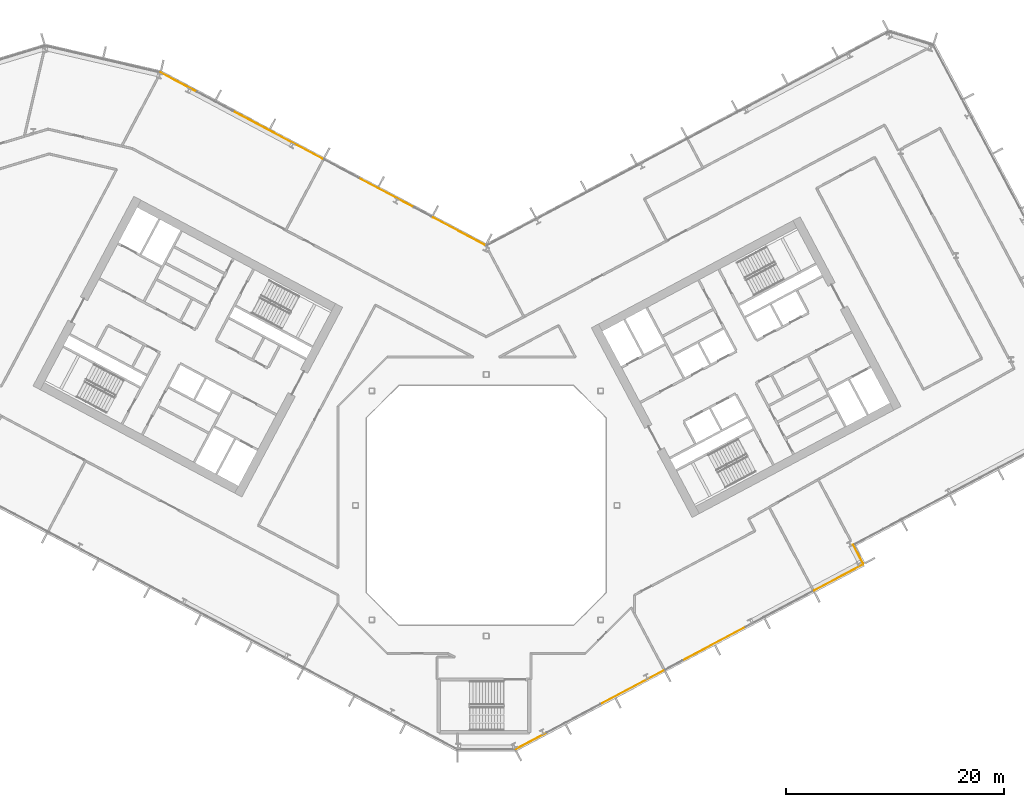
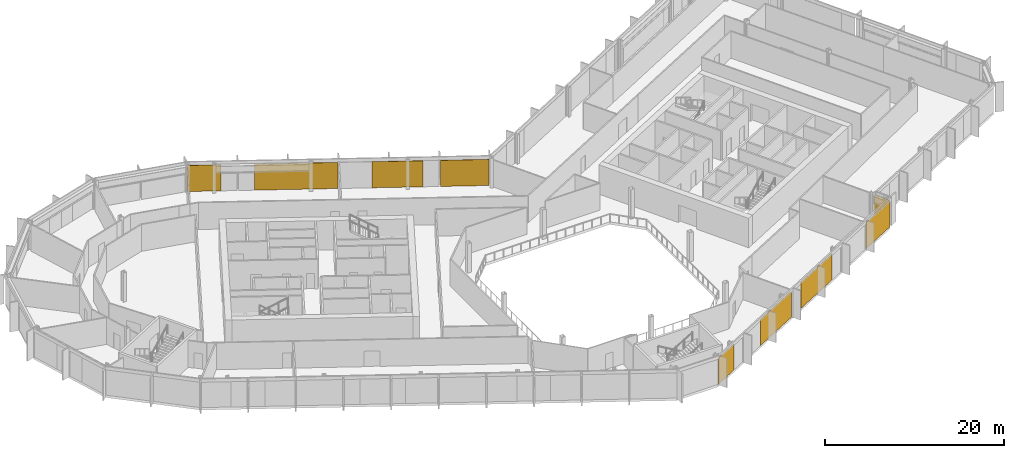
# One storey, part 24 of 28: 9 coverings, 3 elements without a shape of their own.
"""IFC4 building model written with IfcOpenShell, lengths in metres."""

from ifc_helpers import new_model, si_unit, direction, frame, origin, origin_2d, place, context, subcontext, project, spatial, rectangle, extrude, material, layer, layer_set, type_object, element, aggregate, save


model = new_model("IFC4")

# Units and contexts
model_context = context("Model", 3, precision=1e-05, world=origin(), true_north=direction((0.0, 1.0)))
body_context = subcontext(model_context, "Body", "Model", "MODEL_VIEW")
ifc_project = project(units=[si_unit("LENGTHUNIT", "METRE"), si_unit("AREAUNIT", "SQUARE_METRE"), si_unit("VOLUMEUNIT", "CUBIC_METRE"), si_unit("PLANEANGLEUNIT", "RADIAN"), si_unit("MASSUNIT", "GRAM", prefix="KILO")], contexts=[model_context])

# Site, building, storey
site_placement = place(None, origin())
site = spatial("IfcSite", under=ifc_project, at=site_placement, CompositionType="ELEMENT")
building_placement = place(site_placement, origin())
building = spatial("IfcBuilding", under=site, at=building_placement, Name="Cormorant Relay Tower", CompositionType="ELEMENT")
storey_placement = place(building_placement, frame((0.0, 0.0, 146.199951171875)))
storey = spatial("IfcBuildingStorey", under=building, at=storey_placement, Name="L30", CompositionType="ELEMENT", Elevation=146.199951171875)

# Curtain wall, coverings
ifc_material_1 = material(Name="Aluminium 6063-T6 anodised bronze", Category="aluminium")
ifc_layer_1 = layer(ifc_material_1, 0.199951171875)
ifc_layer_set_1 = layer_set([ifc_layer_1], Name="CW1 unitised bronze curtain wall with vertical fins")
curtain_wall_type = type_object("IfcCurtainWallType", Name="CW1 unitised bronze curtain wall with vertical fins", PredefinedType="NOTDEFINED", material=ifc_layer_set_1)
curtain_wall_1_placement = place(storey_placement, origin())
curtain_wall_1 = element("IfcCurtainWall", 1, at=curtain_wall_1_placement, inside=storey, type_object=curtain_wall_type, Name="CW1 curtain wall 2", PredefinedType="NOTDEFINED")
ifc_material_2 = material(Name="Pale bronze anodised aluminium insulated panel", Category="aluminium")
ifc_layer_2 = layer(ifc_material_2, 0.0400390625)
ifc_layer_set_2 = layer_set([ifc_layer_2], Name="CW1 pale bronze insulated panel 40")
covering_type = type_object("IfcCoveringType", Name="CW1 pale bronze insulated panel 40", PredefinedType="CLADDING", material=ifc_layer_set_2)
covering_1_placement = place(storey_placement, frame((4.14453125, -21.60302734375, 0.0), z_axis=(0.0, 0.0, 1.0), x_axis=(0.882947592859, 0.469471562786, 0.0)))
covering_1 = element("IfcCovering", 2, at=covering_1_placement, type_object=covering_type, Name="CW1 panel S00", PredefinedType="CLADDING", context=body_context, shape_type="SweptSolid", body=[
    extrude(rectangle(XDim=3.216552734375, YDim=0.0400390625, at=origin_2d()), origin(), (0.0, 0.0, 1.0), 3.550048828125),
])
covering_2_placement = place(storey_placement, frame((13.37109375, -16.697021484375, 0.0), z_axis=(0.0, 0.0, 1.0), x_axis=(0.882947592859, 0.469471562786, 0.0)))
covering_2 = element("IfcCovering", 3, at=covering_2_placement, type_object=covering_type, Name="CW1 panel S03", PredefinedType="CLADDING", context=body_context, shape_type="SweptSolid", body=[
    extrude(rectangle(XDim=6.5830078125, YDim=0.0400390625, at=origin_2d()), origin(), (0.0, 0.0, 1.0), 3.550048828125),
])
covering_3_placement = place(storey_placement, frame((20.905517578125, -12.69091796875, 0.0), z_axis=(0.0, 0.0, 1.0), x_axis=(0.882947592859, 0.469471562786, 0.0)))
covering_3 = element("IfcCovering", 4, at=covering_3_placement, type_object=covering_type, Name="CW1 panel S05", PredefinedType="CLADDING", context=body_context, shape_type="SweptSolid", body=[
    extrude(rectangle(XDim=6.5830078125, YDim=0.0400390625, at=origin_2d()), origin(), (0.0, 0.0, 1.0), 3.550048828125),
])
covering_4_placement = place(storey_placement, frame((32.343017578125, -6.609619140625, 0.0), z_axis=(0.0, 0.0, 1.0), x_axis=(0.882947592859, 0.469471562786, 0.0)))
covering_4 = element("IfcCovering", 5, at=covering_4_placement, type_object=covering_type, Name="CW1 panel S08", PredefinedType="CLADDING", context=body_context, shape_type="SweptSolid", body=[
    extrude(rectangle(XDim=5.091552734375, YDim=0.0400390625, at=origin_2d()), origin(), (0.0, 0.0, 1.0), 3.550048828125),
])
aggregate(curtain_wall_1, [covering_1, covering_2, covering_3, covering_4])

# Curtain wall, covering
curtain_wall_2_placement = place(storey_placement, origin())
curtain_wall_2 = element("IfcCurtainWall", 6, at=curtain_wall_2_placement, inside=storey, type_object=curtain_wall_type, Name="CW1 curtain wall 3", PredefinedType="NOTDEFINED")
covering_5_placement = place(storey_placement, frame((34.112060546875, -4.47119140625, 0.0), z_axis=(0.0, 0.0, 1.0), x_axis=(-0.469471562786, 0.882947592859, 0.0)))
covering_5 = element("IfcCovering", 7, at=covering_5_placement, type_object=covering_type, Name="CW1 panel S00", PredefinedType="CLADDING", context=body_context, shape_type="SweptSolid", body=[
    extrude(rectangle(XDim=1.925048828125, YDim=0.0400390625, at=origin_2d()), origin(), (0.0, 0.0, 1.0), 3.550048828125),
])
aggregate(curtain_wall_2, [covering_5])

# Curtain wall, coverings
curtain_wall_3_placement = place(storey_placement, origin())
curtain_wall_3 = element("IfcCurtainWall", 8, at=curtain_wall_3_placement, inside=storey, type_object=curtain_wall_type, Name="CW1 curtain wall 9", PredefinedType="NOTDEFINED")
covering_6_placement = place(storey_placement, frame((-2.51318359375, 25.142822265625, 0.0), z_axis=(0.0, 0.0, 1.0), x_axis=(-0.882947592859, 0.469471562786, 0.0)))
covering_6 = element("IfcCovering", 9, at=covering_6_placement, type_object=covering_type, Name="CW1 panel S00", PredefinedType="CLADDING", context=body_context, shape_type="SweptSolid", body=[
    extrude(rectangle(XDim=5.4140625, YDim=0.0400390625, at=origin_2d()), origin(), (0.0, 0.0, 1.0), 3.550048828125),
])
covering_7_placement = place(storey_placement, frame((-9.15380859375, 28.673828125, 0.0), z_axis=(0.0, 0.0, 1.0), x_axis=(-0.882947592859, 0.469471562786, 0.0)))
covering_7 = element("IfcCovering", 10, at=covering_7_placement, type_object=covering_type, Name="CW1 panel S02", PredefinedType="CLADDING", context=body_context, shape_type="SweptSolid", body=[
    extrude(rectangle(XDim=5.72802734375, YDim=0.0400390625, at=origin_2d()), origin(), (0.0, 0.0, 1.0), 3.550048828125),
])
covering_8_placement = place(storey_placement, frame((-19.11181640625, 33.968505859375, 0.0), z_axis=(0.0, 0.0, 1.0), x_axis=(-0.882947592859, 0.469471562786, 0.0)))
covering_8 = element("IfcCovering", 11, at=covering_8_placement, type_object=covering_type, Name="CW1 panel S04", PredefinedType="CLADDING", context=body_context, shape_type="SweptSolid", body=[
    extrude(rectangle(XDim=9.327880859375, YDim=0.0400390625, at=origin_2d()), origin(), (0.0, 0.0, 1.0), 3.550048828125),
])
covering_9_placement = place(storey_placement, frame((-28.20263671875, 38.80224609375, 0.0), z_axis=(0.0, 0.0, 1.0), x_axis=(-0.882947592859, 0.469471562786, 0.0)))
covering_9 = element("IfcCovering", 12, at=covering_9_placement, type_object=covering_type, Name="CW1 panel S07", PredefinedType="CLADDING", context=body_context, shape_type="SweptSolid", body=[
    extrude(rectangle(XDim=3.763916015625, YDim=0.0400390625, at=origin_2d()), origin(), (0.0, 0.0, 1.0), 3.550048828125),
])
aggregate(curtain_wall_3, [covering_6, covering_7, covering_8, covering_9])

save(model, "model.ifc")
